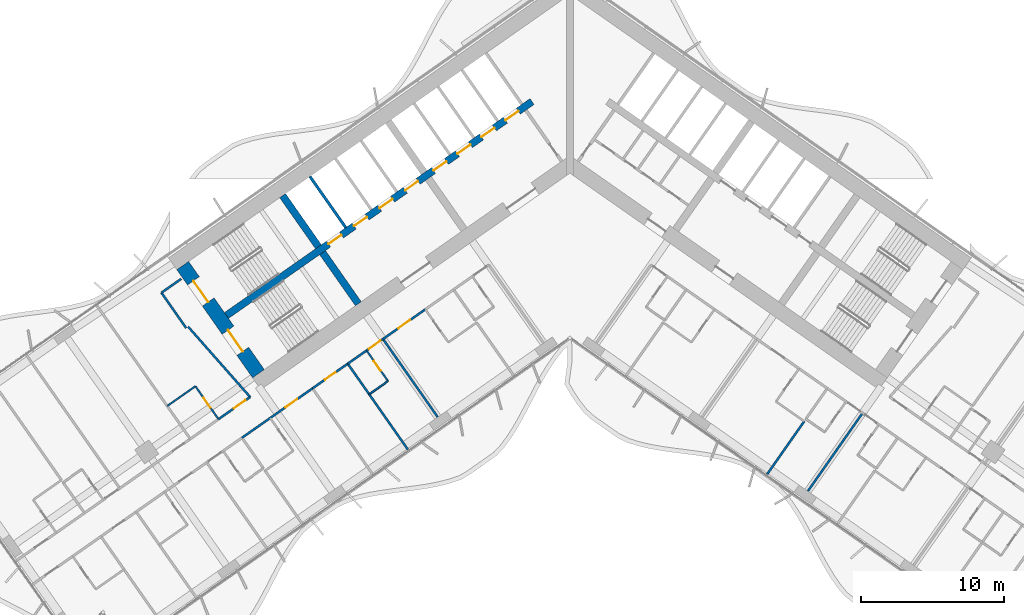
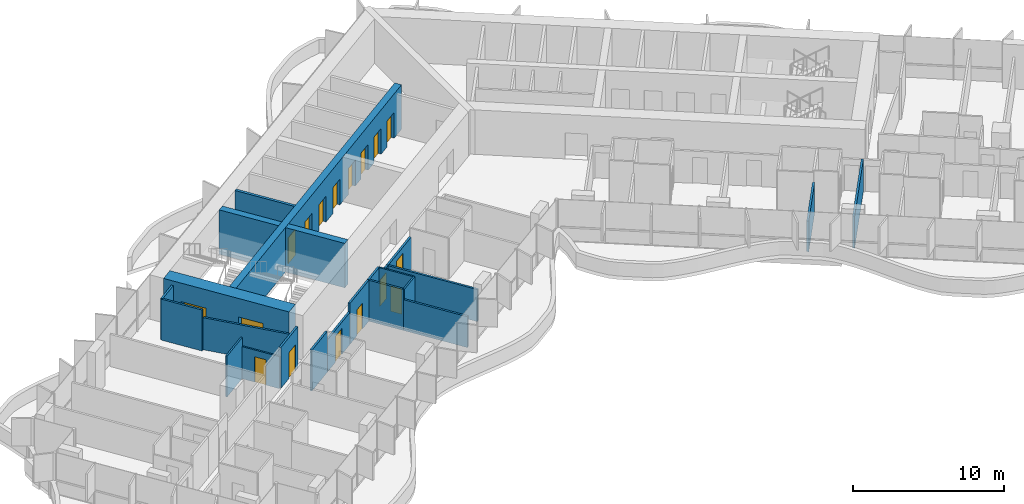
# One storey, part 14 of 25: 24 walls, 17 doors, 17 openings.
"""IFC4 building model written with IfcOpenShell, lengths in metres."""

import ifcopenshell
import ifcopenshell.guid

model = None  # the IFC model being written
_history = None  # IfcOwnerHistory: only IFC2X3 demands one
_inside = {}  # id of a spatial element -> (the spatial element, [elements in it])
_under = {}  # id of a project, library or spatial element -> (it, [spatial elements below it])
_declared = {}  # id of a project -> (the project, [libraries it declares])
_typed = {}  # id of a type object -> (the type object, [elements of that type])
_made_of = {}  # id of a material, layer set ... -> (it, [elements and type objects made of it])


def new_model(schema):
    """Start an empty IFC model of exactly this schema.

    Asked for "IFC4X3", IfcOpenShell would pick the latest addendum, in which some entities
    have other attributes; the version numbers below select the first issue.
    IFC2X3 requires an IfcOwnerHistory on every rooted entity: one is made here for all.
    """
    global model, _history
    if schema == "IFC4X3":
        model = ifcopenshell.file(schema_version=(4, 3, 0, 0))
    else:
        model = ifcopenshell.file(schema=schema)
    _inside.clear()
    _under.clear()
    _declared.clear()
    _typed.clear()
    _made_of.clear()
    _history = None
    if model.schema == "IFC2X3":
        org = make("IfcOrganization", Name="unknown")
        user = make(
            "IfcPersonAndOrganization",
            ThePerson=make("IfcPerson", FamilyName="unknown"),
            TheOrganization=org,
        )
        app = make(
            "IfcApplication",
            ApplicationDeveloper=org,
            Version="unknown",
            ApplicationFullName="unknown",
            ApplicationIdentifier="unknown",
        )
        _history = make(
            "IfcOwnerHistory",
            OwningUser=user,
            OwningApplication=app,
            ChangeAction="ADDED",
            CreationDate=0,
        )
    return model


def make(cls, **values):
    """One entity of the class cls with the attributes given. An attribute that is None is left unset."""
    return model.create_entity(
        cls, **{name: value for name, value in values.items() if value is not None}
    )


def rooted(cls, **values):
    """An entity with a GlobalId (a new one), such as an element, a storey or a relation."""
    return make(cls, GlobalId=ifcopenshell.guid.new(), OwnerHistory=_history, **values)


def si_unit(unit_type, name, prefix=None):
    """IfcSIUnit, for example si_unit("LENGTHUNIT", "METRE", prefix="MILLI")."""
    return make("IfcSIUnit", UnitType=unit_type, Prefix=prefix, Name=name)


def assignment(units):
    """IfcUnitAssignment: the units of a project."""
    return None if units is None else make("IfcUnitAssignment", Units=units)


def point(xyz):
    """IfcCartesianPoint."""
    return None if xyz is None else make("IfcCartesianPoint", Coordinates=xyz)


def direction(xyz):
    """IfcDirection."""
    return None if xyz is None else make("IfcDirection", DirectionRatios=xyz)


def frame(location, z_axis=None, x_axis=None):
    """IfcAxis2Placement3D, a coordinate frame: its origin and axes. An axis left out is left unset."""
    return make(
        "IfcAxis2Placement3D",
        Location=point(location),
        Axis=direction(z_axis),
        RefDirection=direction(x_axis),
    )


def frame_2d(location, x_axis=None):
    """IfcAxis2Placement2D, a coordinate frame in the plane: its origin and x axis."""
    return make(
        "IfcAxis2Placement2D", Location=point(location), RefDirection=direction(x_axis)
    )


def origin():
    """The frame at (0, 0, 0) with its axes left unset."""
    return frame((0.0, 0.0, 0.0))


def place(relative_to, where):
    """IfcLocalPlacement: puts the frame where relative to a parent placement (None: the world)."""
    return make(
        "IfcLocalPlacement", PlacementRelTo=relative_to, RelativePlacement=where
    )


def context(
    kind, dimensions, precision=None, world=None, true_north=None, identifier=None
):
    """IfcGeometricRepresentationContext, for example the 3D "Model" context."""
    return make(
        "IfcGeometricRepresentationContext",
        ContextIdentifier=identifier,
        ContextType=kind,
        CoordinateSpaceDimension=dimensions,
        Precision=precision,
        WorldCoordinateSystem=world,
        TrueNorth=true_north,
    )


def subcontext(parent, identifier, kind, view, scale=None):
    """IfcGeometricRepresentationSubContext, for example "Body" below "Model"."""
    return make(
        "IfcGeometricRepresentationSubContext",
        ContextIdentifier=identifier,
        ContextType=kind,
        ParentContext=parent,
        TargetScale=scale,
        TargetView=view,
    )


def project(units=None, contexts=None):
    """IfcProject with its units and contexts."""
    return rooted(
        "IfcProject",
        Name="project",
        RepresentationContexts=contexts,
        UnitsInContext=assignment(units),
    )


def spatial(cls, under=None, at=None, **own):
    """A site, building, storey or space (cls), placed at a placement, below another one or the project."""
    s = rooted(cls, ObjectPlacement=at, **own)
    if under is not None:
        _under.setdefault(under.id(), (under, []))[1].append(s)
    return s


def polyline(points):
    """IfcPolyline through the points."""
    return make("IfcPolyline", Points=[point(p) for p in points])


def profile(cls, at=None, kind="AREA", **sizes):
    """A parametric profile (cls). Its sizes go by their IFC names, for example OverallWidth=200.0."""
    return make(cls, ProfileType=kind, Position=at, **sizes)


def rectangle(**sizes):
    """IfcRectangleProfileDef."""
    return profile("IfcRectangleProfileDef", **sizes)


def outline(outer, holes=None, kind="AREA"):
    """IfcArbitraryClosedProfileDef: a profile drawn as a closed curve; with holes, ...WithVoids."""
    if holes is None:
        return make("IfcArbitraryClosedProfileDef", ProfileType=kind, OuterCurve=outer)
    return make(
        "IfcArbitraryProfileDefWithVoids",
        ProfileType=kind,
        OuterCurve=outer,
        InnerCurves=holes,
    )


def extrude(swept, where, along, depth):
    """IfcExtrudedAreaSolid: the profile swept, set in the frame where, extruded along a direction by depth."""
    return make(
        "IfcExtrudedAreaSolid",
        SweptArea=swept,
        Position=where,
        ExtrudedDirection=direction(along),
        Depth=depth,
    )


def shape(context_of_items, identifier, shape_type, items):
    """IfcShapeRepresentation: the items that make up one representation, for example the "Body"."""
    return make(
        "IfcShapeRepresentation",
        ContextOfItems=context_of_items,
        RepresentationIdentifier=identifier,
        RepresentationType=shape_type,
        Items=items,
    )


def material(Name=None, Category=None):
    """IfcMaterial."""
    return make("IfcMaterial", Name=Name, Category=Category)


def layer(
    of_material, thickness, ventilated=None, Name=None, Category=None, Priority=None
):
    """IfcMaterialLayer: one layer of a wall or slab, of a material (None: an air gap)."""
    return make(
        "IfcMaterialLayer",
        Material=of_material,
        LayerThickness=thickness,
        IsVentilated=ventilated,
        Name=Name,
        Category=Category,
        Priority=Priority,
    )


def layer_set(layers, Name=None):
    """IfcMaterialLayerSet."""
    return make("IfcMaterialLayerSet", MaterialLayers=layers, LayerSetName=Name)


def made_of(thing, what):
    """Note that an element or type object is made of a material, layer set ...; save() writes the relation."""
    if what is not None:
        _made_of.setdefault(what.id(), (what, []))[1].append(thing)
    return thing


def type_object(cls, material=None, **own):
    """A type object (cls), such as IfcWallType, which elements share."""
    return made_of(rooted(cls, **own), material)


def element(
    cls,
    number,
    at=None,
    inside=None,
    cuts=None,
    type_object=None,
    material=None,
    context=None,
    identifier="Body",
    shape_type=None,
    held_by="IfcProductDefinitionShape",
    body=None,
    shapes=None,
    **own,
):
    """One element of the class cls, such as IfcWall. Its Tag is "e" and its number.

    at: its placement. inside: the storey or other place that contains it. cuts: it is an
    opening in that element (IfcRelVoidsElement). A single representation is given by context,
    identifier, shape_type and body (its items); several are given by shapes. held_by: the class
    of the entity that holds the representations. save() writes the other relations.
    """
    e = rooted(cls, Tag="e%d" % number, ObjectPlacement=at, **own)
    if body is not None:
        shapes = [shape(context, identifier, shape_type, body)]
    if shapes is not None:
        e.Representation = make(held_by, Representations=shapes)
    if inside is not None:
        _inside.setdefault(inside.id(), (inside, []))[1].append(e)
    if cuts is not None:
        rooted(
            "IfcRelVoidsElement", RelatingBuildingElement=cuts, RelatedOpeningElement=e
        )
    if type_object is not None:
        _typed.setdefault(type_object.id(), (type_object, []))[1].append(e)
    return made_of(e, material)


def fill(opening, filler):
    """IfcRelFillsElement: the door or window that sits in an opening."""
    return rooted(
        "IfcRelFillsElement",
        RelatingOpeningElement=opening,
        RelatedBuildingElement=filler,
    )


def aggregate(whole, parts):
    """IfcRelAggregates: a whole, such as a stair, and the parts it consists of."""
    return rooted("IfcRelAggregates", RelatingObject=whole, RelatedObjects=parts)


def save(model, path):
    """Write the relations noted so far, then the file.

    IfcRelAggregates (storeys below a building ...), IfcRelContainedInSpatialStructure (elements
    in a storey), IfcRelDefinesByType, IfcRelAssociatesMaterial and IfcRelDeclares: one each for
    every whole, place, type object, material and project.
    """
    for whole, parts in _under.values():
        aggregate(whole, parts)
    for where, things in _inside.values():
        rooted(
            "IfcRelContainedInSpatialStructure",
            RelatedElements=things,
            RelatingStructure=where,
        )
    for kind, things in _typed.values():
        rooted("IfcRelDefinesByType", RelatedObjects=things, RelatingType=kind)
    for what, things in _made_of.values():
        rooted("IfcRelAssociatesMaterial", RelatedObjects=things, RelatingMaterial=what)
    for by, libraries in _declared.values():
        rooted("IfcRelDeclares", RelatingContext=by, RelatedDefinitions=libraries)
    model.write(path)


model = new_model("IFC4")

# Units and contexts
model_context = context("Model", 3, precision=1e-05, world=origin(), true_north=direction((0.0, 1.0)))
body_context = subcontext(model_context, "Body", "Model", "MODEL_VIEW")
ifc_project = project(units=[si_unit("LENGTHUNIT", "METRE"), si_unit("AREAUNIT", "SQUARE_METRE"), si_unit("VOLUMEUNIT", "CUBIC_METRE"), si_unit("PLANEANGLEUNIT", "RADIAN"), si_unit("MASSUNIT", "GRAM", prefix="KILO")], contexts=[model_context])

# Site, building, storey
site_placement = place(None, origin())
site = spatial("IfcSite", under=ifc_project, at=site_placement, CompositionType="ELEMENT")
building_placement = place(site_placement, origin())
building = spatial("IfcBuilding", under=site, at=building_placement, Name="Tel Ilan Convention Tower", CompositionType="ELEMENT")
storey_placement = place(building_placement, frame((0.0, 0.0, 61.699951171875)))
storey = spatial("IfcBuildingStorey", under=building, at=storey_placement, Name="L10", CompositionType="ELEMENT", Elevation=61.699951171875)

# Wall, openings, doors
ifc_material_1 = material(Name="Concrete C60/75", Category="concrete")
ifc_layer_1 = layer(ifc_material_1, 1.0)
ifc_layer_set_1 = layer_set([ifc_layer_1], Name="Core Shear Wall 1000 mm C60/75")
wall_type_1 = type_object("IfcWallType", Name="Core Shear Wall 1000 mm C60/75", PredefinedType="SHEAR", material=ifc_layer_set_1)
wall_1_placement = place(storey_placement, frame((-21.70751953125, -15.19970703125, 0.0), z_axis=(0.0, 0.0, 1.0), x_axis=(-0.573576324356, 0.819152122709, 0.0)))
wall_1 = element("IfcWall", 1, at=wall_1_placement, inside=storey, type_object=wall_type_1, Name="L10 core wall W-end", PredefinedType="SHEAR", context=body_context, shape_type="SweptSolid", body=[
    extrude(outline(polyline([(0.0, 0.5), (0.0, -0.5), (9.199951171875, -0.5), (9.199951171875, 0.5), (0.0, 0.5)])), origin(), (0.0, 0.0, 1.0), 3.60009765625),
])
opening_1_placement = place(wall_1_placement, frame((6.10009765625, 0.0, 0.0)))
opening_1 = element("IfcOpeningElement", 2, at=opening_1_placement, cuts=wall_1, Name="Opening SD1101", PredefinedType="OPENING", context=body_context, shape_type="SweptSolid", body=[
    extrude(rectangle(XDim=1.800048828125, YDim=2.10009765625, at=frame_2d((0.89990234375, 1.050048828125))), frame((0.0, 0.510009765625, 0.0), z_axis=(0.0, -1.0, 0.0), x_axis=(1.0, 0.0, 0.0)), (0.0, 0.0, 1.0), 1.02001953125),
])
opening_2_placement = place(wall_1_placement, frame((1.89990234375, 0.0, 0.0)))
opening_2 = element("IfcOpeningElement", 3, at=opening_2_placement, cuts=wall_1, Name="Opening SD1102", PredefinedType="OPENING", context=body_context, shape_type="SweptSolid", body=[
    extrude(rectangle(XDim=1.800048828125, YDim=2.10009765625, at=frame_2d((0.89990234375, 1.050048828125))), frame((0.0, 0.510009765625, 0.0), z_axis=(0.0, -1.0, 0.0), x_axis=(1.0, 0.0, 0.0)), (0.0, 0.0, 1.0), 1.02001953125),
])
ifc_material_2 = material(Name="Galvanised Steel Door Leaf", Category="steel")
door_type_1 = type_object("IfcDoorType", Name="Stair Fire Door 1800 x 2100 FD60S", OperationType="NOTDEFINED", PredefinedType="DOOR", material=ifc_material_2)
door_1_placement = place(opening_1_placement, origin())
door_1 = element("IfcDoor", 4, at=door_1_placement, inside=storey, type_object=door_type_1, Name="Stair S1 door", OperationType="DOUBLE_DOOR_SINGLE_SWING", OverallHeight=2.10009765625, OverallWidth=1.800048828125, PredefinedType="DOOR", context=body_context, shape_type="SweptSolid", body=[
    extrude(rectangle(XDim=1.800048828125, YDim=2.10009765625, at=frame_2d((0.89990234375, 1.050048828125))), frame((0.0, 0.02490234375, 0.0), z_axis=(0.0, -1.0, 0.0), x_axis=(1.0, 0.0, 0.0)), (0.0, 0.0, 1.0), 0.050048828125),
])
fill(opening_1, door_1)
door_2_placement = place(opening_2_placement, origin())
door_2 = element("IfcDoor", 5, at=door_2_placement, inside=storey, type_object=door_type_1, Name="Stair S2 door", OperationType="DOUBLE_DOOR_SINGLE_SWING", OverallHeight=2.10009765625, OverallWidth=1.800048828125, PredefinedType="DOOR", context=body_context, shape_type="SweptSolid", body=[
    extrude(rectangle(XDim=1.800048828125, YDim=2.10009765625, at=frame_2d((0.89990234375, 1.050048828125))), frame((0.0, 0.02490234375, 0.0), z_axis=(0.0, -1.0, 0.0), x_axis=(1.0, 0.0, 0.0)), (0.0, 0.0, 1.0), 0.050048828125),
])
fill(opening_2, door_2)

# Walls
ifc_material_3 = material(Name="Concrete C60/75", Category="concrete")
ifc_layer_2 = layer(ifc_material_3, 0.5)
ifc_layer_set_2 = layer_set([ifc_layer_2], Name="Core Shear Wall 500 mm C60/75")
wall_type_2 = type_object("IfcWallType", Name="Core Shear Wall 500 mm C60/75", PredefinedType="SHEAR", material=ifc_layer_set_2)
wall_2_placement = place(storey_placement, frame((-14.74462890625, -10.324462890625, 0.0), z_axis=(0.0, 0.0, 1.0), x_axis=(-0.57356780395, 0.819158088694, 0.0)))
element("IfcWall", 6, at=wall_2_placement, inside=storey, type_object=wall_type_2, Name="L10 core wall W-cross2-1", PredefinedType="SHEAR", context=body_context, shape_type="SweptSolid", body=[
    extrude(outline(polyline([(4.35009765625, 0.250244140625), (0.0, 0.25), (0.0, -0.25), (4.35009765625, -0.25), (4.35009765625, 0.250244140625)])), origin(), (0.0, 0.0, 1.0), 3.60009765625),
])
wall_3_placement = place(storey_placement, frame((-17.526611328125, -6.3515625, 0.0), z_axis=(0.0, 0.0, 1.0), x_axis=(-0.573530143085, 0.819184457233, 0.0)))
element("IfcWall", 7, at=wall_3_placement, inside=storey, type_object=wall_type_2, Name="L10 core wall W-cross2-2", PredefinedType="SHEAR", context=body_context, shape_type="SweptSolid", body=[
    extrude(outline(polyline([(4.35009765625, -0.249755859375), (4.35009765625, 0.250244140625), (0.0, 0.25), (0.0, -0.25), (4.35009765625, -0.249755859375)])), origin(), (0.0, 0.0, 1.0), 3.60009765625),
])

# Wall, openings, doors
wall_4_placement = place(storey_placement, frame((-2.638427734375, 3.76806640625, 0.0), z_axis=(0.0, 0.0, 1.0), x_axis=(-0.819148977158, -0.573580816643, 0.0)))
wall_4 = element("IfcWall", 8, at=wall_4_placement, inside=storey, type_object=wall_type_2, Name="L10 core wall W-spine", PredefinedType="SHEAR", context=body_context, shape_type="SweptSolid", body=[
    extrude(outline(polyline([(26.0, 0.249755859375), (0.0, 0.25), (0.0, -0.25), (26.0, -0.250244140625), (26.0, 0.249755859375)])), origin(), (0.0, 0.0, 1.0), 3.60009765625),
])
opening_3_placement = place(wall_4_placement, frame((1.168701171875, 0.0, 0.0)))
opening_3 = element("IfcOpeningElement", 9, at=opening_3_placement, cuts=wall_4, Name="Opening LD1104", PredefinedType="OPENING", context=body_context, shape_type="SweptSolid", body=[
    extrude(rectangle(XDim=1.10009765625, YDim=2.10009765625, at=frame_2d((0.550048828125, 1.050048828125))), frame((0.0, 0.260009765625, 0.0), z_axis=(0.0, -1.0, 0.0), x_axis=(1.0, 0.0, 0.0)), (0.0, 0.0, 1.0), 0.52001953125),
])
opening_4_placement = place(wall_4_placement, frame((3.206298828125, 0.0, 0.0)))
opening_4 = element("IfcOpeningElement", 10, at=opening_4_placement, cuts=wall_4, Name="Opening LD1105", PredefinedType="OPENING", context=body_context, shape_type="SweptSolid", body=[
    extrude(rectangle(XDim=1.10009765625, YDim=2.10009765625, at=frame_2d((0.550048828125, 1.050048828125))), frame((0.0, 0.260009765625, 0.0), z_axis=(0.0, -1.0, 0.0), x_axis=(1.0, 0.0, 0.0)), (0.0, 0.0, 1.0), 0.52001953125),
])
opening_5_placement = place(wall_4_placement, frame((5.24365234375, 0.0, 0.0)))
opening_5 = element("IfcOpeningElement", 11, at=opening_5_placement, cuts=wall_4, Name="Opening LD1106", PredefinedType="OPENING", context=body_context, shape_type="SweptSolid", body=[
    extrude(rectangle(XDim=1.10009765625, YDim=2.10009765625, at=frame_2d((0.550048828125, 1.050048828125))), frame((0.0, 0.260009765625, 0.0), z_axis=(0.0, -1.0, 0.0), x_axis=(1.0, 0.0, 0.0)), (0.0, 0.0, 1.0), 0.52001953125),
])
opening_6_placement = place(wall_4_placement, frame((7.28125, 0.0, 0.0)))
opening_6 = element("IfcOpeningElement", 12, at=opening_6_placement, cuts=wall_4, Name="Opening LD1107", PredefinedType="OPENING", context=body_context, shape_type="SweptSolid", body=[
    extrude(rectangle(XDim=1.10009765625, YDim=2.10009765625, at=frame_2d((0.550048828125, 1.050048828125))), frame((0.0, 0.260009765625, 0.0), z_axis=(0.0, -1.0, 0.0), x_axis=(1.0, 0.0, 0.0)), (0.0, 0.0, 1.0), 0.52001953125),
])
opening_7_placement = place(wall_4_placement, frame((9.6875, 0.0, 0.0)))
opening_7 = element("IfcOpeningElement", 13, at=opening_7_placement, cuts=wall_4, Name="Opening LD1108", PredefinedType="OPENING", context=body_context, shape_type="SweptSolid", body=[
    extrude(rectangle(XDim=1.10009765625, YDim=2.10009765625, at=frame_2d((0.550048828125, 1.050048828125))), frame((0.0, 0.260009765625, 0.0), z_axis=(0.0, -1.0, 0.0), x_axis=(1.0, 0.0, 0.0)), (0.0, 0.0, 1.0), 0.52001953125),
])
opening_8_placement = place(wall_4_placement, frame((11.862548828125, 0.0, 0.0)))
opening_8 = element("IfcOpeningElement", 14, at=opening_8_placement, cuts=wall_4, Name="Opening LD1109", PredefinedType="OPENING", context=body_context, shape_type="SweptSolid", body=[
    extrude(rectangle(XDim=1.10009765625, YDim=2.10009765625, at=frame_2d((0.550048828125, 1.050048828125))), frame((0.0, 0.260009765625, 0.0), z_axis=(0.0, -1.0, 0.0), x_axis=(1.0, 0.0, 0.0)), (0.0, 0.0, 1.0), 0.52001953125),
])
opening_9_placement = place(wall_4_placement, frame((14.03759765625, 0.0, 0.0)))
opening_9 = element("IfcOpeningElement", 15, at=opening_9_placement, cuts=wall_4, Name="Opening LD1110", PredefinedType="OPENING", context=body_context, shape_type="SweptSolid", body=[
    extrude(rectangle(XDim=1.10009765625, YDim=2.10009765625, at=frame_2d((0.550048828125, 1.050048828125))), frame((0.0, 0.260009765625, 0.0), z_axis=(0.0, -1.0, 0.0), x_axis=(1.0, 0.0, 0.0)), (0.0, 0.0, 1.0), 0.52001953125),
])
opening_10_placement = place(wall_4_placement, frame((16.21240234375, 0.0, 0.0)))
opening_10 = element("IfcOpeningElement", 16, at=opening_10_placement, cuts=wall_4, Name="Opening LD1111", PredefinedType="OPENING", context=body_context, shape_type="SweptSolid", body=[
    extrude(rectangle(XDim=1.10009765625, YDim=2.10009765625, at=frame_2d((0.550048828125, 1.050048828125))), frame((0.0, 0.260009765625, 0.0), z_axis=(0.0, -1.0, 0.0), x_axis=(1.0, 0.0, 0.0)), (0.0, 0.0, 1.0), 0.52001953125),
])
ifc_material_4 = material(Name="Stainless Steel Sliding Door Leaf", Category="steel")
door_type_2 = type_object("IfcDoorType", Name="Lift Landing Door 1100 x 2100 FD120", OperationType="NOTDEFINED", PredefinedType="DOOR", material=ifc_material_4)
door_3_placement = place(opening_3_placement, origin())
door_3 = element("IfcDoor", 17, at=door_3_placement, inside=storey, type_object=door_type_2, Name="Lift LR1 landing door", OperationType="SLIDING_TO_LEFT", OverallHeight=2.10009765625, OverallWidth=1.10009765625, PredefinedType="DOOR", context=body_context, shape_type="SweptSolid", body=[
    extrude(rectangle(XDim=1.10009765625, YDim=2.10009765625, at=frame_2d((0.550048828125, 1.050048828125))), frame((0.0, 0.02490234375, 0.0), z_axis=(0.0, -1.0, 0.0), x_axis=(1.0, 0.0, 0.0)), (0.0, 0.0, 1.0), 0.050048828125),
])
fill(opening_3, door_3)
door_4_placement = place(opening_4_placement, origin())
door_4 = element("IfcDoor", 18, at=door_4_placement, inside=storey, type_object=door_type_2, Name="Lift LR2 landing door", OperationType="SLIDING_TO_RIGHT", OverallHeight=2.10009765625, OverallWidth=1.10009765625, PredefinedType="DOOR", context=body_context, shape_type="SweptSolid", body=[
    extrude(rectangle(XDim=1.10009765625, YDim=2.10009765625, at=frame_2d((0.550048828125, 1.050048828125))), frame((0.0, 0.02490234375, 0.0), z_axis=(0.0, -1.0, 0.0), x_axis=(1.0, 0.0, 0.0)), (0.0, 0.0, 1.0), 0.050048828125),
])
fill(opening_4, door_4)
door_5_placement = place(opening_5_placement, origin())
door_5 = element("IfcDoor", 19, at=door_5_placement, inside=storey, type_object=door_type_2, Name="Lift LR3 landing door", OperationType="SLIDING_TO_LEFT", OverallHeight=2.10009765625, OverallWidth=1.10009765625, PredefinedType="DOOR", context=body_context, shape_type="SweptSolid", body=[
    extrude(rectangle(XDim=1.10009765625, YDim=2.10009765625, at=frame_2d((0.550048828125, 1.050048828125))), frame((0.0, 0.02490234375, 0.0), z_axis=(0.0, -1.0, 0.0), x_axis=(1.0, 0.0, 0.0)), (0.0, 0.0, 1.0), 0.050048828125),
])
fill(opening_5, door_5)
door_6_placement = place(opening_6_placement, origin())
door_6 = element("IfcDoor", 20, at=door_6_placement, inside=storey, type_object=door_type_2, Name="Lift LR4 landing door", OperationType="SLIDING_TO_RIGHT", OverallHeight=2.10009765625, OverallWidth=1.10009765625, PredefinedType="DOOR", context=body_context, shape_type="SweptSolid", body=[
    extrude(rectangle(XDim=1.10009765625, YDim=2.10009765625, at=frame_2d((0.550048828125, 1.050048828125))), frame((0.0, 0.02490234375, 0.0), z_axis=(0.0, -1.0, 0.0), x_axis=(1.0, 0.0, 0.0)), (0.0, 0.0, 1.0), 0.050048828125),
])
fill(opening_6, door_6)
door_7_placement = place(opening_7_placement, origin())
door_7 = element("IfcDoor", 21, at=door_7_placement, inside=storey, type_object=door_type_2, Name="Lift LR5 landing door", OperationType="SLIDING_TO_LEFT", OverallHeight=2.10009765625, OverallWidth=1.10009765625, PredefinedType="DOOR", context=body_context, shape_type="SweptSolid", body=[
    extrude(rectangle(XDim=1.10009765625, YDim=2.10009765625, at=frame_2d((0.550048828125, 1.050048828125))), frame((0.0, 0.02490234375, 0.0), z_axis=(0.0, -1.0, 0.0), x_axis=(1.0, 0.0, 0.0)), (0.0, 0.0, 1.0), 0.050048828125),
])
fill(opening_7, door_7)
door_8_placement = place(opening_8_placement, origin())
door_8 = element("IfcDoor", 22, at=door_8_placement, inside=storey, type_object=door_type_2, Name="Lift LR6 landing door", OperationType="SLIDING_TO_RIGHT", OverallHeight=2.10009765625, OverallWidth=1.10009765625, PredefinedType="DOOR", context=body_context, shape_type="SweptSolid", body=[
    extrude(rectangle(XDim=1.10009765625, YDim=2.10009765625, at=frame_2d((0.550048828125, 1.050048828125))), frame((0.0, 0.02490234375, 0.0), z_axis=(0.0, -1.0, 0.0), x_axis=(1.0, 0.0, 0.0)), (0.0, 0.0, 1.0), 0.050048828125),
])
fill(opening_8, door_8)
door_9_placement = place(opening_9_placement, origin())
door_9 = element("IfcDoor", 23, at=door_9_placement, inside=storey, type_object=door_type_2, Name="Lift LR7 landing door", OperationType="SLIDING_TO_LEFT", OverallHeight=2.10009765625, OverallWidth=1.10009765625, PredefinedType="DOOR", context=body_context, shape_type="SweptSolid", body=[
    extrude(rectangle(XDim=1.10009765625, YDim=2.10009765625, at=frame_2d((0.550048828125, 1.050048828125))), frame((0.0, 0.02490234375, 0.0), z_axis=(0.0, -1.0, 0.0), x_axis=(1.0, 0.0, 0.0)), (0.0, 0.0, 1.0), 0.050048828125),
])
fill(opening_9, door_9)
door_10_placement = place(opening_10_placement, origin())
door_10 = element("IfcDoor", 24, at=door_10_placement, inside=storey, type_object=door_type_2, Name="Lift LR8 landing door", OperationType="SLIDING_TO_RIGHT", OverallHeight=2.10009765625, OverallWidth=1.10009765625, PredefinedType="DOOR", context=body_context, shape_type="SweptSolid", body=[
    extrude(rectangle(XDim=1.10009765625, YDim=2.10009765625, at=frame_2d((0.550048828125, 1.050048828125))), frame((0.0, 0.02490234375, 0.0), z_axis=(0.0, -1.0, 0.0), x_axis=(1.0, 0.0, 0.0)), (0.0, 0.0, 1.0), 0.050048828125),
])
fill(opening_10, door_10)

# Wall, opening, door
ifc_material_5 = material(Name="Plasterboard on Steel Studs", Category="steel")
ifc_layer_3 = layer(ifc_material_5, 0.14990234375)
ifc_layer_set_3 = layer_set([ifc_layer_3], Name="Fire-rated Partition 150 EI 60")
wall_type_3 = type_object("IfcWallType", Name="Fire-rated Partition 150 EI 60", PredefinedType="PARTITIONING", material=ifc_layer_set_3)
wall_5_placement = place(storey_placement, frame((-24.493408203125, -18.37109375, 0.0), z_axis=(0.0, 0.0, 1.0), x_axis=(0.819176640776, 0.573541307325, 0.0)))
wall_5 = element("IfcWall", 25, at=wall_5_placement, inside=storey, type_object=wall_type_3, Name="Partition 028", PredefinedType="PARTITIONING", context=body_context, shape_type="SweptSolid", body=[
    extrude(rectangle(XDim=2.697509765625, YDim=0.14990234375, at=frame_2d((1.3486328125, 0.0))), origin(), (0.0, 0.0, 1.0), 3.320068359375),
])
opening_11_placement = place(wall_5_placement, frame((1.301025390625, 0.0, 0.0)))
opening_11 = element("IfcOpeningElement", 26, at=opening_11_placement, cuts=wall_5, Name="Opening L08-018", PredefinedType="OPENING", context=body_context, shape_type="SweptSolid", body=[
    extrude(rectangle(XDim=1.0, YDim=2.10009765625, at=frame_2d((0.5, 1.050048828125))), frame((0.0, 0.0849609375, 0.0), z_axis=(0.0, -1.0, 0.0), x_axis=(1.0, 0.0, 0.0)), (0.0, 0.0, 1.0), 0.169921875),
])
ifc_material_6 = material(Name="Timber Door Leaf in Steel Frame", Category="steel")
door_type_3 = type_object("IfcDoorType", Name="Hotel Room Entrance Fire Door 1000x2100", OperationType="NOTDEFINED", PredefinedType="DOOR", material=ifc_material_6)
door_11_placement = place(opening_11_placement, origin())
door_11 = element("IfcDoor", 27, at=door_11_placement, inside=storey, type_object=door_type_3, Name="Door L08-018", OperationType="SINGLE_SWING_RIGHT", OverallHeight=2.10009765625, OverallWidth=1.0, PredefinedType="DOOR", context=body_context, shape_type="SweptSolid", body=[
    extrude(rectangle(XDim=1.0, YDim=2.10009765625, at=frame_2d((0.5, 1.050048828125))), frame((0.0, 0.02490234375, 0.0), z_axis=(0.0, -1.0, 0.0), x_axis=(1.0, 0.0, 0.0)), (0.0, 0.0, 1.0), 0.050048828125),
])
fill(opening_11, door_11)

wall_6_placement = place(storey_placement, frame((-10.07421875, -10.71630859375, 0.0), z_axis=(0.0, 0.0, 1.0), x_axis=(-0.819145961204, -0.573585123798, 0.0)))
wall_6 = element("IfcWall", 28, at=wall_6_placement, inside=storey, type_object=wall_type_3, Name="Partition 037", PredefinedType="PARTITIONING", context=body_context, shape_type="SweptSolid", body=[
    extrude(rectangle(XDim=3.60302734375, YDim=0.14990234375, at=frame_2d((1.801513671875, 0.0))), origin(), (0.0, 0.0, 1.0), 2.60009765625),
])
opening_12_placement = place(wall_6_placement, frame((1.301025390625, 0.0, 0.0)))
opening_12 = element("IfcOpeningElement", 29, at=opening_12_placement, cuts=wall_6, Name="Opening L08-004", PredefinedType="OPENING", context=body_context, shape_type="SweptSolid", body=[
    extrude(rectangle(XDim=1.0, YDim=2.10009765625, at=frame_2d((0.5, 1.050048828125))), frame((0.0, 0.0849609375, 0.0), z_axis=(0.0, -1.0, 0.0), x_axis=(1.0, 0.0, 0.0)), (0.0, 0.0, 1.0), 0.169921875),
])
door_12_placement = place(opening_12_placement, origin())
door_12 = element("IfcDoor", 30, at=door_12_placement, inside=storey, type_object=door_type_3, Name="Door L08-004", OperationType="SINGLE_SWING_RIGHT", OverallHeight=2.10009765625, OverallWidth=1.0, PredefinedType="DOOR", context=body_context, shape_type="SweptSolid", body=[
    extrude(rectangle(XDim=1.0, YDim=2.10009765625, at=frame_2d((0.5, 1.050048828125))), frame((0.0, 0.02490234375, 0.0), z_axis=(0.0, -1.0, 0.0), x_axis=(1.0, 0.0, 0.0)), (0.0, 0.0, 1.0), 0.050048828125),
])
fill(opening_12, door_12)

wall_7_placement = place(storey_placement, frame((-13.0224609375, -12.78076171875, 0.0), z_axis=(0.0, 0.0, 1.0), x_axis=(-0.81914197737, -0.573590813132, 0.0)))
wall_7 = element("IfcWall", 31, at=wall_7_placement, inside=storey, type_object=wall_type_3, Name="Partition 039", PredefinedType="PARTITIONING", context=body_context, shape_type="SweptSolid", body=[
    extrude(rectangle(XDim=1.40283203125, YDim=0.14990234375, at=frame_2d((0.701416015625, 0.0))), origin(), (0.0, 0.0, 1.0), 2.60009765625),
])
opening_13_placement = place(wall_7_placement, frame((0.201904296875, 0.0, 0.0)))
opening_13 = element("IfcOpeningElement", 32, at=opening_13_placement, cuts=wall_7, Name="Opening L08-006", PredefinedType="OPENING", context=body_context, shape_type="SweptSolid", body=[
    extrude(rectangle(XDim=1.0, YDim=2.10009765625, at=frame_2d((0.5, 1.050048828125))), frame((0.0, 0.0849609375, 0.0), z_axis=(0.0, -1.0, 0.0), x_axis=(1.0, 0.0, 0.0)), (0.0, 0.0, 1.0), 0.169921875),
])
door_13_placement = place(opening_13_placement, origin())
door_13 = element("IfcDoor", 33, at=door_13_placement, inside=storey, type_object=door_type_3, Name="Door L08-006", OperationType="SINGLE_SWING_LEFT", OverallHeight=2.10009765625, OverallWidth=1.0, PredefinedType="DOOR", context=body_context, shape_type="SweptSolid", body=[
    extrude(rectangle(XDim=1.0, YDim=2.10009765625, at=frame_2d((0.5, 1.050048828125))), frame((0.0, 0.02490234375, 0.0), z_axis=(0.0, -1.0, 0.0), x_axis=(1.0, 0.0, 0.0)), (0.0, 0.0, 1.0), 0.050048828125),
])
fill(opening_13, door_13)

# Wall
wall_8_placement = place(storey_placement, frame((-14.169189453125, -13.583740234375, 0.0), z_axis=(0.0, 0.0, 1.0), x_axis=(-0.819189013667, -0.573523634986, 0.0)))
element("IfcWall", 34, at=wall_8_placement, inside=storey, type_object=wall_type_3, Name="Partition 040", PredefinedType="PARTITIONING", context=body_context, shape_type="SweptSolid", body=[
    extrude(rectangle(XDim=1.60400390625, YDim=0.14990234375, at=frame_2d((0.802001953125, 0.0))), origin(), (0.0, 0.0, 1.0), 3.320068359375),
])

# Wall, opening, door
wall_9_placement = place(storey_placement, frame((-15.479736328125, -14.50146484375, 0.0), z_axis=(0.0, 0.0, 1.0), x_axis=(-0.819193738533, -0.573516886193, 0.0)))
wall_9 = element("IfcWall", 35, at=wall_9_placement, inside=storey, type_object=wall_type_3, Name="Partition 041", PredefinedType="PARTITIONING", context=body_context, shape_type="SweptSolid", body=[
    extrude(rectangle(XDim=3.004150390625, YDim=0.14990234375, at=frame_2d((1.501953125, 0.0))), origin(), (0.0, 0.0, 1.0), 3.320068359375),
])
opening_14_placement = place(wall_9_placement, frame((1.052001953125, 0.0, 0.0)))
opening_14 = element("IfcOpeningElement", 36, at=opening_14_placement, cuts=wall_9, Name="Opening L08-007", PredefinedType="OPENING", context=body_context, shape_type="SweptSolid", body=[
    extrude(rectangle(XDim=0.89990234375, YDim=2.10009765625, at=frame_2d((0.449951171875, 1.050048828125))), frame((0.0, 0.0849609375, 0.0), z_axis=(0.0, -1.0, 0.0), x_axis=(1.0, 0.0, 0.0)), (0.0, 0.0, 1.0), 0.169921875),
])
ifc_material_7 = material(Name="Timber Door Leaf in Steel Frame", Category="steel")
door_type_4 = type_object("IfcDoorType", Name="Room Fire Door 900x2100", OperationType="NOTDEFINED", PredefinedType="DOOR", material=ifc_material_7)
door_14_placement = place(opening_14_placement, origin())
door_14 = element("IfcDoor", 37, at=door_14_placement, inside=storey, type_object=door_type_4, Name="Door L08-007", OperationType="SINGLE_SWING_RIGHT", OverallHeight=2.10009765625, OverallWidth=0.89990234375, PredefinedType="DOOR", context=body_context, shape_type="SweptSolid", body=[
    extrude(rectangle(XDim=0.89990234375, YDim=2.10009765625, at=frame_2d((0.449951171875, 1.050048828125))), frame((0.0, 0.02490234375, 0.0), z_axis=(0.0, -1.0, 0.0), x_axis=(1.0, 0.0, 0.0)), (0.0, 0.0, 1.0), 0.050048828125),
])
fill(opening_14, door_14)

wall_10_placement = place(storey_placement, frame((-17.937255859375, -16.22216796875, 0.0), z_axis=(0.0, 0.0, 1.0), x_axis=(-0.819145961204, -0.573585123798, 0.0)))
wall_10 = element("IfcWall", 38, at=wall_10_placement, inside=storey, type_object=wall_type_3, Name="Partition 042", PredefinedType="PARTITIONING", context=body_context, shape_type="SweptSolid", body=[
    extrude(rectangle(XDim=3.60302734375, YDim=0.14990234375, at=frame_2d((1.801513671875, 0.0))), origin(), (0.0, 0.0, 1.0), 2.60009765625),
])
opening_15_placement = place(wall_10_placement, frame((1.302001953125, 0.0, 0.0)))
opening_15 = element("IfcOpeningElement", 39, at=opening_15_placement, cuts=wall_10, Name="Opening L08-009", PredefinedType="OPENING", context=body_context, shape_type="SweptSolid", body=[
    extrude(rectangle(XDim=1.0, YDim=2.10009765625, at=frame_2d((0.5, 1.050048828125))), frame((0.0, 0.0849609375, 0.0), z_axis=(0.0, -1.0, 0.0), x_axis=(1.0, 0.0, 0.0)), (0.0, 0.0, 1.0), 0.169921875),
])
door_15_placement = place(opening_15_placement, origin())
door_15 = element("IfcDoor", 40, at=door_15_placement, inside=storey, type_object=door_type_3, Name="Door L08-009", OperationType="SINGLE_SWING_LEFT", OverallHeight=2.10009765625, OverallWidth=1.0, PredefinedType="DOOR", context=body_context, shape_type="SweptSolid", body=[
    extrude(rectangle(XDim=1.0, YDim=2.10009765625, at=frame_2d((0.5, 1.050048828125))), frame((0.0, 0.02490234375, 0.0), z_axis=(0.0, -1.0, 0.0), x_axis=(1.0, 0.0, 0.0)), (0.0, 0.0, 1.0), 0.050048828125),
])
fill(opening_15, door_15)

# Walls
wall_11_placement = place(storey_placement, frame((-20.88623046875, -18.287109375, 0.0), z_axis=(0.0, 0.0, 1.0), x_axis=(-0.819146032251, -0.573585022335, 0.0)))
element("IfcWall", 41, at=wall_11_placement, inside=storey, type_object=wall_type_3, Name="Partition 043", PredefinedType="PARTITIONING", context=body_context, shape_type="SweptSolid", body=[
    extrude(rectangle(XDim=2.404052734375, YDim=0.14990234375, at=frame_2d((1.2021484375, 0.0))), origin(), (0.0, 0.0, 1.0), 3.320068359375),
])
wall_12_placement = place(storey_placement, frame((16.332275390625, -18.517578125, 0.0), z_axis=(0.0, 0.0, 1.0), x_axis=(-0.573564311442, -0.819160534108, 0.0)))
element("IfcWall", 42, at=wall_12_placement, inside=storey, type_object=wall_type_3, Name="Partition 080", PredefinedType="PARTITIONING", context=body_context, shape_type="SweptSolid", body=[
    extrude(rectangle(XDim=4.499267578125, YDim=0.14990234375, at=frame_2d((2.24951171875, 0.0))), origin(), (0.0, 0.0, 1.0), 2.5),
])
wall_13_placement = place(storey_placement, frame((20.396484375, -17.944091796875, 0.0), z_axis=(0.0, 0.0, 1.0), x_axis=(-0.57359826181, -0.819136761505, 0.0)))
element("IfcWall", 43, at=wall_13_placement, inside=storey, type_object=wall_type_3, Name="Partition 084", PredefinedType="PARTITIONING", context=body_context, shape_type="SweptSolid", body=[
    extrude(rectangle(XDim=6.630126953125, YDim=0.14990234375, at=frame_2d((3.31494140625, 0.0))), origin(), (0.0, 0.0, 1.0), 2.60009765625),
])
wall_14_placement = place(storey_placement, frame((-26.74609375, -12.013671875, 0.0), z_axis=(0.0, 0.0, 1.0), x_axis=(-0.573560650686, 0.819163097304, 0.0)))
element("IfcWall", 44, at=wall_14_placement, inside=storey, type_object=wall_type_3, Name="Partition 102", PredefinedType="PARTITIONING", context=body_context, shape_type="SweptSolid", body=[
    extrude(rectangle(XDim=3.0, YDim=0.14990234375, at=frame_2d((1.5, 0.0))), origin(), (0.0, 0.0, 1.0), 3.320068359375),
])
wall_15_placement = place(storey_placement, frame((-28.466796875, -9.55615234375, 0.0), z_axis=(0.0, 0.0, 1.0), x_axis=(0.819109000826, 0.573637903879, 0.0)))
element("IfcWall", 45, at=wall_15_placement, inside=storey, type_object=wall_type_3, Name="Partition 103", PredefinedType="PARTITIONING", context=body_context, shape_type="SweptSolid", body=[
    extrude(rectangle(XDim=1.679931640625, YDim=0.14990234375, at=frame_2d((0.83984375, 0.0))), origin(), (0.0, 0.0, 1.0), 3.320068359375),
])
wall_16_placement = place(storey_placement, frame((-22.2841796875, -16.82666015625, 0.0), z_axis=(0.0, 0.0, 1.0), x_axis=(-0.661545117561, 0.749905365651, 0.0)))
element("IfcWall", 46, at=wall_16_placement, inside=storey, type_object=wall_type_3, Name="Partition 104", PredefinedType="PARTITIONING", context=body_context, shape_type="SweptSolid", body=[
    extrude(rectangle(XDim=6.542724609375, YDim=0.14990234375, at=frame_2d((3.271484375, 0.0))), origin(), (0.0, 0.0, 1.0), 2.60009765625),
])
wall_17_placement = place(storey_placement, frame((-9.22119140625, -18.212890625, 0.0), z_axis=(0.0, 0.0, 1.0), x_axis=(-0.573556251799, 0.819166177294, 0.0)))
element("IfcWall", 47, at=wall_17_placement, inside=storey, type_object=wall_type_3, Name="Partition 122", PredefinedType="PARTITIONING", context=body_context, shape_type="SweptSolid", body=[
    extrude(rectangle(XDim=6.630126953125, YDim=0.14990234375, at=frame_2d((3.31494140625, 0.0))), origin(), (0.0, 0.0, 1.0), 2.60009765625),
])
wall_18_placement = place(storey_placement, frame((-11.29443359375, -20.482421875, 0.0), z_axis=(0.0, 0.0, 1.0), x_axis=(-0.573559978739, 0.819163567787, 0.0)))
element("IfcWall", 48, at=wall_18_placement, inside=storey, type_object=wall_type_3, Name="Partition 125", PredefinedType="PARTITIONING", context=body_context, shape_type="SweptSolid", body=[
    extrude(rectangle(XDim=4.69873046875, YDim=0.14990234375, at=frame_2d((2.349365234375, 0.0))), origin(), (0.0, 0.0, 1.0), 2.5),
])
wall_19_placement = place(storey_placement, frame((-13.990234375, -16.63232421875, 0.0), z_axis=(0.0, 0.0, 1.0), x_axis=(-0.573582085028, 0.819148089014, 0.0)))
element("IfcWall", 49, at=wall_19_placement, inside=storey, type_object=wall_type_3, Name="Partition 126", PredefinedType="PARTITIONING", context=body_context, shape_type="SweptSolid", body=[
    extrude(rectangle(XDim=2.599853515625, YDim=0.14990234375, at=frame_2d((1.2998046875, 0.0))), origin(), (0.0, 0.0, 1.0), 3.320068359375),
])
ifc_material_8 = material(Name="Concrete C30/37", Category="concrete")
ifc_layer_4 = layer(ifc_material_8, 0.199951171875)
ifc_layer_set_4 = layer_set([ifc_layer_4], Name="Lift Shaft Wall 200 mm C30/37")
wall_type_4 = type_object("IfcWallType", Name="Lift Shaft Wall 200 mm C30/37", PredefinedType="SOLIDWALL", material=ifc_layer_set_4)
wall_20_placement = place(storey_placement, frame((-15.6220703125, -5.017822265625, 0.0), z_axis=(0.0, 0.0, 1.0), x_axis=(-0.573594173421, 0.819139624372, 0.0)))
element("IfcWall", 50, at=wall_20_placement, inside=storey, type_object=wall_type_4, Name="L10 core wall bank-W2-p2", PredefinedType="SOLIDWALL", context=body_context, shape_type="SweptSolid", body=[
    extrude(rectangle(XDim=4.349853515625, YDim=0.199951171875, at=frame_2d((2.1748046875, 0.0))), origin(), (0.0, 0.0, 1.0), 3.60009765625),
])

# Wall, opening, door
ifc_material_9 = material(Name="Plasterboard on Steel Studs", Category="steel")
ifc_layer_5 = layer(ifc_material_9, 0.1201171875)
ifc_layer_set_5 = layer_set([ifc_layer_5], Name="Moisture-resistant Partition 120")
wall_type_5 = type_object("IfcWallType", Name="Moisture-resistant Partition 120", PredefinedType="PARTITIONING", material=ifc_layer_set_5)
wall_21_placement = place(storey_placement, frame((-24.49169921875, -18.3701171875, 0.0), z_axis=(0.0, 0.0, 1.0), x_axis=(-0.573550118428, 0.819170471667, 0.0)))
wall_21 = element("IfcWall", 51, at=wall_21_placement, inside=storey, type_object=wall_type_5, Name="Partition 105", PredefinedType="PARTITIONING", context=body_context, shape_type="SweptSolid", body=[
    extrude(rectangle(XDim=2.800048828125, YDim=0.1201171875, at=frame_2d((1.39990234375, 0.0))), origin(), (0.0, 0.0, 1.0), 2.60009765625),
])
opening_16_placement = place(wall_21_placement, frame((0.97509765625, 0.0, 0.0)))
opening_16 = element("IfcOpeningElement", 52, at=opening_16_placement, cuts=wall_21, Name="Opening L08-017", PredefinedType="OPENING", context=body_context, shape_type="SweptSolid", body=[
    extrude(rectangle(XDim=0.85009765625, YDim=2.050048828125, at=frame_2d((0.425048828125, 1.02490234375))), frame((0.0, 0.070068359375, 0.0), z_axis=(0.0, -1.0, 0.0), x_axis=(1.0, 0.0, 0.0)), (0.0, 0.0, 1.0), 0.14013671875),
])
ifc_material_10 = material(Name="Timber Door Leaf in Steel Frame", Category="steel")
door_type_5 = type_object("IfcDoorType", Name="Bathroom Timber Door 850x2050", OperationType="NOTDEFINED", PredefinedType="DOOR", material=ifc_material_10)
door_16_placement = place(opening_16_placement, origin())
door_16 = element("IfcDoor", 53, at=door_16_placement, inside=storey, type_object=door_type_5, Name="Door L08-017", OperationType="SINGLE_SWING_LEFT", OverallHeight=2.050048828125, OverallWidth=0.85009765625, PredefinedType="DOOR", context=body_context, shape_type="SweptSolid", body=[
    extrude(rectangle(XDim=0.85009765625, YDim=2.050048828125, at=frame_2d((0.425048828125, 1.02490234375))), frame((0.0, 0.02490234375, 0.0), z_axis=(0.0, -1.0, 0.0), x_axis=(1.0, 0.0, 0.0)), (0.0, 0.0, 1.0), 0.050048828125),
])
fill(opening_16, door_16)

# Walls
wall_22_placement = place(storey_placement, frame((-26.09912109375, -16.076171875, 0.0), z_axis=(0.0, 0.0, 1.0), x_axis=(-0.819155442668, -0.573571582932, 0.0)))
element("IfcWall", 54, at=wall_22_placement, inside=storey, type_object=wall_type_5, Name="Partition 106", PredefinedType="PARTITIONING", context=body_context, shape_type="SweptSolid", body=[
    extrude(rectangle(XDim=2.39990234375, YDim=0.1201171875, at=frame_2d((1.199951171875, 0.0))), origin(), (0.0, 0.0, 1.0), 3.320068359375),
])
wall_23_placement = place(storey_placement, frame((-13.989501953125, -16.63330078125, 0.0), z_axis=(0.0, 0.0, 1.0), x_axis=(0.819131543282, 0.57360571371, 0.0)))
element("IfcWall", 55, at=wall_23_placement, inside=storey, type_object=wall_type_5, Name="Partition 123", PredefinedType="PARTITIONING", context=body_context, shape_type="SweptSolid", body=[
    extrude(rectangle(XDim=1.599853515625, YDim=0.1201171875, at=frame_2d((0.7998046875, 0.0))), origin(), (0.0, 0.0, 1.0), 3.320068359375),
])

# Wall, opening, door
wall_24_placement = place(storey_placement, frame((-12.6787109375, -15.714111328125, 0.0), z_axis=(0.0, 0.0, 1.0), x_axis=(-0.573537965655, 0.819178980414, 0.0)))
wall_24 = element("IfcWall", 56, at=wall_24_placement, inside=storey, type_object=wall_type_5, Name="Partition 124", PredefinedType="PARTITIONING", context=body_context, shape_type="SweptSolid", body=[
    extrude(rectangle(XDim=2.60009765625, YDim=0.1201171875, at=frame_2d((1.300048828125, 0.0))), origin(), (0.0, 0.0, 1.0), 3.320068359375),
])
opening_17_placement = place(wall_24_placement, frame((0.875, 0.0, 0.0)))
opening_17 = element("IfcOpeningElement", 57, at=opening_17_placement, cuts=wall_24, Name="Opening L08-005", PredefinedType="OPENING", context=body_context, shape_type="SweptSolid", body=[
    extrude(rectangle(XDim=0.85009765625, YDim=2.050048828125, at=frame_2d((0.425048828125, 1.02490234375))), frame((0.0, 0.070068359375, 0.0), z_axis=(0.0, -1.0, 0.0), x_axis=(1.0, 0.0, 0.0)), (0.0, 0.0, 1.0), 0.14013671875),
])
door_17_placement = place(opening_17_placement, origin())
door_17 = element("IfcDoor", 58, at=door_17_placement, inside=storey, type_object=door_type_5, Name="Door L08-005", OperationType="SINGLE_SWING_RIGHT", OverallHeight=2.050048828125, OverallWidth=0.85009765625, PredefinedType="DOOR", context=body_context, shape_type="SweptSolid", body=[
    extrude(rectangle(XDim=0.85009765625, YDim=2.050048828125, at=frame_2d((0.425048828125, 1.02490234375))), frame((0.0, 0.02490234375, 0.0), z_axis=(0.0, -1.0, 0.0), x_axis=(1.0, 0.0, 0.0)), (0.0, 0.0, 1.0), 0.050048828125),
])
fill(opening_17, door_17)

save(model, "model.ifc")
